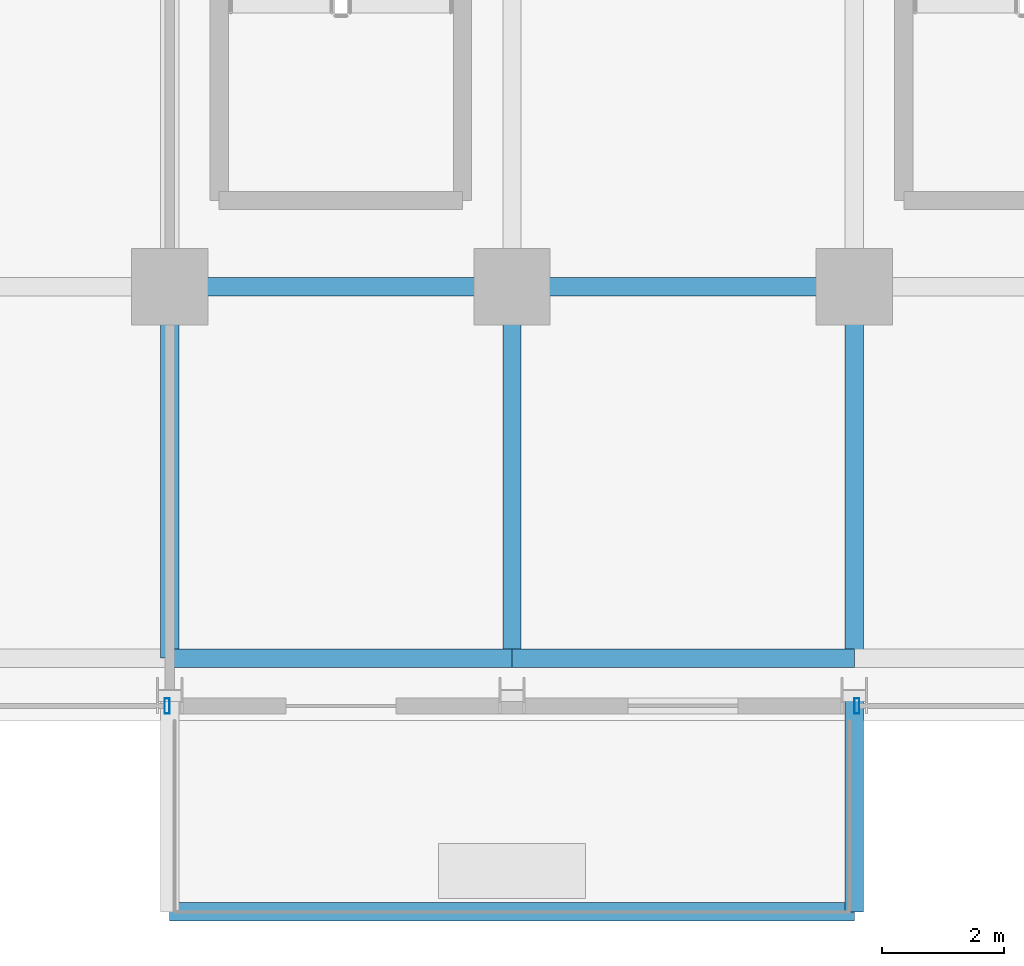
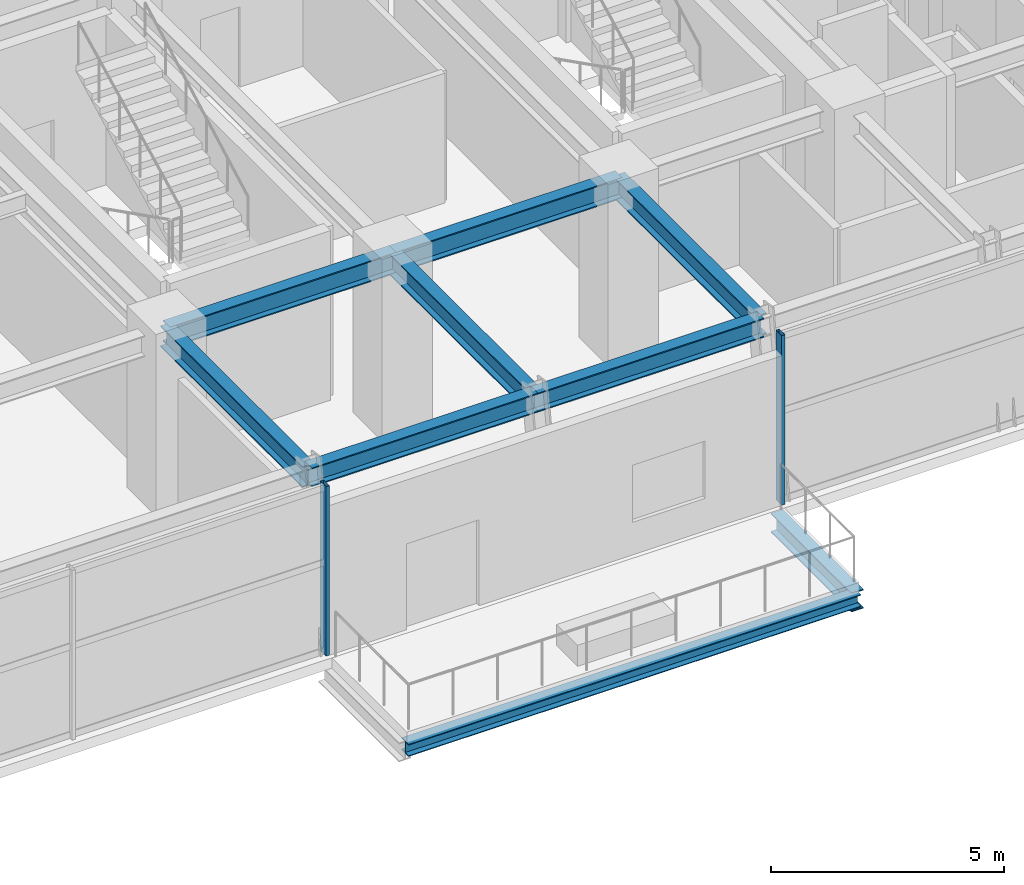
# One storey, part 4 of 26: 9 beams, 2 members, 2 elements without a shape of their own.
"""IFC4 building model written with IfcOpenShell, lengths in metres."""

from ifc_helpers import new_model, si_unit, direction, frame, origin, origin_2d, place, context, subcontext, project, spatial, hollow_rectangle, i_section, extrude, source, transform, mapped, material, material_profile, profile_set, type_object, element, aggregate, save


model = new_model("IFC4")

# Units and contexts
model_context = context("Model", 3, precision=1e-05, world=origin(), true_north=direction((0.0, 1.0)))
body_context = subcontext(model_context, "Body", "Model", "MODEL_VIEW")
ifc_project = project(units=[si_unit("LENGTHUNIT", "METRE"), si_unit("AREAUNIT", "SQUARE_METRE"), si_unit("VOLUMEUNIT", "CUBIC_METRE"), si_unit("PLANEANGLEUNIT", "RADIAN"), si_unit("MASSUNIT", "GRAM", prefix="KILO")], contexts=[model_context])

# Site, building, storey
site_placement = place(None, origin())
site = spatial("IfcSite", under=ifc_project, at=site_placement, CompositionType="ELEMENT")
building_placement = place(site_placement, origin())
building = spatial("IfcBuilding", under=site, at=building_placement, Name="Nahalor Promenade Grand Hotel", CompositionType="ELEMENT")
storey_placement = place(building_placement, frame((0.0, 0.0, 139.39990234375)))
storey = spatial("IfcBuildingStorey", under=building, at=storey_placement, Name="L35", CompositionType="ELEMENT", Elevation=139.39990234375)

# Beams
ifc_material_1 = material(Name="Steel S355JR", Category="steel")
ifc_material_profile_1 = material_profile(ifc_material_1, i_section(OverallWidth=0.3, OverallDepth=0.32, WebThickness=0.0115, FlangeThickness=0.0205, at=origin_2d()), Name="HEB 320")
ifc_profile_set_1 = profile_set([ifc_material_profile_1], Name="Steel S355JR")
beam_type_1 = type_object("IfcBeamType", Name="Beam-BalcEdge-HEB320", PredefinedType="SPANDREL", material=ifc_profile_set_1)
shared_shape_1 = source(origin(), body_context, "Body", "SweptSolid", [
    extrude(i_section(OverallWidth=0.3, OverallDepth=0.32, WebThickness=0.0115, FlangeThickness=0.0205, at=origin_2d()), origin(), (0.0, 0.0, 1.0), 11.199951171875),
])
beam_1_placement = place(storey_placement, frame((-8.39990234375, -27.22998046875, -0.43994140625), z_axis=(1.0, 0.0, 0.0), x_axis=(0.0, 1.0, 0.0)))
element("IfcBeam", 1, at=beam_1_placement, inside=storey, type_object=beam_type_1, Name="BM-L35-BC-01-F", PredefinedType="SPANDREL", context=body_context, shape_type="MappedRepresentation", body=[
    mapped(shared_shape_1, transform((0.0, 0.0, 0.0), scale=1.0)),
])
ifc_material_profile_2 = material_profile(ifc_material_1, i_section(OverallWidth=0.3, OverallDepth=0.5, WebThickness=0.0145, FlangeThickness=0.028, at=origin_2d()), Name="HEB 500")
ifc_profile_set_2 = profile_set([ifc_material_profile_2], Name="Steel S355JR")
beam_type_2 = type_object("IfcBeamType", Name="Beam-Outrigger-HEB500", PredefinedType="BEAM", material=ifc_profile_set_2)
shared_shape_2 = source(origin(), body_context, "Body", "SweptSolid", [
    extrude(i_section(OverallWidth=0.3, OverallDepth=0.5, WebThickness=0.0145, FlangeThickness=0.028, at=origin_2d()), origin(), (0.0, 0.0, 1.0), 3.449951171875),
])
beam_2_placement = place(storey_placement, frame((2.800048828125, -27.22998046875, -0.52978515625), z_axis=(0.0, 1.0, 0.0), x_axis=(-1.0, 0.0, 0.0)))
element("IfcBeam", 2, at=beam_2_placement, inside=storey, type_object=beam_type_2, Name="BM-L35-BC-01-2", PredefinedType="BEAM", context=body_context, shape_type="MappedRepresentation", body=[
    mapped(shared_shape_2, transform((0.0, 0.0, 0.0), scale=1.0)),
])
ifc_material_profile_3 = material_profile(ifc_material_1, i_section(OverallWidth=0.3, OverallDepth=0.5, WebThickness=0.0145, FlangeThickness=0.028, at=origin_2d()), Name="HEB 500")
ifc_profile_set_3 = profile_set([ifc_material_profile_3], Name="Steel S355JR")
beam_type_3 = type_object("IfcBeamType", Name="Beam-Spandrel-HEB500", PredefinedType="SPANDREL", material=ifc_profile_set_3)
shared_shape_3 = source(origin(), body_context, "Body", "SweptSolid", [
    extrude(i_section(OverallWidth=0.3, OverallDepth=0.5, WebThickness=0.0145, FlangeThickness=0.028, at=origin_2d()), origin(), (0.0, 0.0, 1.0), 5.599853515625),
])
beam_3_placement = place(storey_placement, frame((-8.39990234375, -23.080078125, 4.190185546875), z_axis=(1.0, 0.0, 0.0), x_axis=(0.0, 1.0, 0.0)))
element("IfcBeam", 3, at=beam_3_placement, inside=storey, type_object=beam_type_3, Name="BM-L35-SP-S-1", PredefinedType="SPANDREL", context=body_context, shape_type="MappedRepresentation", body=[
    mapped(shared_shape_3, transform((0.0, 0.0, 0.0), scale=1.0)),
])
shared_shape_4 = source(origin(), body_context, "Body", "SweptSolid", [
    extrude(i_section(OverallWidth=0.3, OverallDepth=0.5, WebThickness=0.0145, FlangeThickness=0.028, at=origin_2d()), origin(), (0.0, 0.0, 1.0), 5.60009765625),
])
beam_4_placement = place(storey_placement, frame((-2.800048828125, -23.080078125, 4.190185546875), z_axis=(1.0, 0.0, 0.0), x_axis=(0.0, 1.0, 0.0)))
element("IfcBeam", 4, at=beam_4_placement, inside=storey, type_object=beam_type_3, Name="BM-L35-SP-S-2", PredefinedType="SPANDREL", context=body_context, shape_type="MappedRepresentation", body=[
    mapped(shared_shape_4, transform((0.0, 0.0, 0.0), scale=1.0)),
])
ifc_material_profile_4 = material_profile(ifc_material_1, i_section(OverallWidth=0.3, OverallDepth=0.55, WebThickness=0.015, FlangeThickness=0.029, at=origin_2d()), Name="HEB 550")
ifc_profile_set_4 = profile_set([ifc_material_profile_4], Name="Steel S355JR")
beam_type_4 = type_object("IfcBeamType", Name="Beam-Girder-HEB550", PredefinedType="BEAM", material=ifc_profile_set_4)
shared_shape_5 = source(origin(), body_context, "Body", "SweptSolid", [
    extrude(i_section(OverallWidth=0.3, OverallDepth=0.55, WebThickness=0.015, FlangeThickness=0.029, at=origin_2d()), origin(), (0.0, 0.0, 1.0), 5.599853515625),
])
beam_5_placement = place(storey_placement, frame((-8.39990234375, -17.0, 4.1650390625), z_axis=(1.0, 0.0, 0.0), x_axis=(0.0, 1.0, 0.0)))
element("IfcBeam", 5, at=beam_5_placement, inside=storey, type_object=beam_type_4, Name="BM-L35-GX-0-2", PredefinedType="BEAM", context=body_context, shape_type="MappedRepresentation", body=[
    mapped(shared_shape_5, transform((0.0, 0.0, 0.0), scale=1.0)),
])
shared_shape_6 = source(origin(), body_context, "Body", "SweptSolid", [
    extrude(i_section(OverallWidth=0.3, OverallDepth=0.55, WebThickness=0.015, FlangeThickness=0.029, at=origin_2d()), origin(), (0.0, 0.0, 1.0), 5.60009765625),
])
beam_6_placement = place(storey_placement, frame((-2.800048828125, -17.0, 4.1650390625), z_axis=(1.0, 0.0, 0.0), x_axis=(0.0, 1.0, 0.0)))
element("IfcBeam", 6, at=beam_6_placement, inside=storey, type_object=beam_type_4, Name="BM-L35-GX-0-3", PredefinedType="BEAM", context=body_context, shape_type="MappedRepresentation", body=[
    mapped(shared_shape_6, transform((0.0, 0.0, 0.0), scale=1.0)),
])
shared_shape_7 = source(origin(), body_context, "Body", "SweptSolid", [
    extrude(i_section(OverallWidth=0.3, OverallDepth=0.55, WebThickness=0.015, FlangeThickness=0.029, at=origin_2d()), origin(), (0.0, 0.0, 1.0), 6.080078125),
])
for number, where, z_axis, x_axis, name in (
    (7, (-8.39990234375, -23.080078125, 4.1650390625), (0.0, 1.0, 0.0), (-1.0, 0.0, 0.0), "BM-L35-GY-1-0"),
    (8, (-2.800048828125, -23.080078125, 4.1650390625), (0.0, 1.0, 0.0), (-1.0, 0.0, 0.0), "BM-L35-GY-2-0"),
    (9, (2.800048828125, -23.080078125, 4.1650390625), (0.0, 1.0, 0.0), (-1.0, 0.0, 0.0), "BM-L35-GY-3-0"),
):
    element("IfcBeam", number, at=place(storey_placement, frame(where, z_axis=z_axis, x_axis=x_axis)), inside=storey, type_object=beam_type_4, Name=name, PredefinedType="BEAM", context=body_context, shape_type="MappedRepresentation", body=[
        mapped(shared_shape_7, transform((0.0, 0.0, 0.0), scale=1.0)),
    ])

# Curtain wall, member
ifc_material_2 = material(Name="Anodised Bronze Aluminium EN AW-6063 T6", Category="aluminium")
curtain_wall_type = type_object("IfcCurtainWallType", Name="CW5 Sky-Lobby & Observation Panoramic Curtain Wall", PredefinedType="USERDEFINED", material=ifc_material_2)
curtain_wall_1_placement = place(storey_placement, origin())
curtain_wall_1 = element("IfcCurtainWall", 10, at=curtain_wall_1_placement, inside=storey, type_object=curtain_wall_type, Name="L35 Curtain Wall CW-L35-S-1", ObjectType="UNITISED_CURTAIN_WALL", PredefinedType="USERDEFINED")
ifc_material_profile_5 = material_profile(ifc_material_2, hollow_rectangle(XDim=0.085, YDim=0.25, WallThickness=0.006, at=origin_2d()), Name="CWM 85x250x6")
ifc_profile_set_5 = profile_set([ifc_material_profile_5], Name="Anodised Bronze Aluminium EN AW-6063 T6")
member_type = type_object("IfcMemberType", Name="CWM5 Panoramic Deep Mullion 85x250", PredefinedType="MULLION", material=ifc_profile_set_5)
shared_shape_8 = source(origin(), body_context, "Body", "SweptSolid", [
    extrude(hollow_rectangle(XDim=0.085, YDim=0.25, WallThickness=0.006, at=origin_2d()), origin(), (0.0, 0.0, 1.0), 4.440185546875),
])
member_1_placement = place(storey_placement, frame((-8.4423828125, -23.860107421875, 0.0), z_axis=(0.0, 0.0, 1.0), x_axis=(1.0, 0.0, 0.0)))
member_1 = element("IfcMember", 11, at=member_1_placement, type_object=member_type, Name="CW-L35-S-1 Mullion 2", PredefinedType="MULLION", context=body_context, shape_type="MappedRepresentation", body=[
    mapped(shared_shape_8, transform((0.0, 0.0, 0.0), scale=1.0)),
])
aggregate(curtain_wall_1, [member_1])

curtain_wall_2_placement = place(storey_placement, origin())
curtain_wall_2 = element("IfcCurtainWall", 12, at=curtain_wall_2_placement, inside=storey, type_object=curtain_wall_type, Name="L35 Curtain Wall CW-L35-S-3", ObjectType="UNITISED_CURTAIN_WALL", PredefinedType="USERDEFINED")
member_2_placement = place(storey_placement, frame((2.842529296875, -23.860107421875, 0.0), z_axis=(0.0, 0.0, 1.0), x_axis=(1.0, 0.0, 0.0)))
member_2 = element("IfcMember", 13, at=member_2_placement, type_object=member_type, Name="CW-L35-S-3 Mullion 0", PredefinedType="MULLION", context=body_context, shape_type="MappedRepresentation", body=[
    mapped(shared_shape_8, transform((0.0, 0.0, 0.0), scale=1.0)),
])
aggregate(curtain_wall_2, [member_2])

save(model, "model.ifc")
